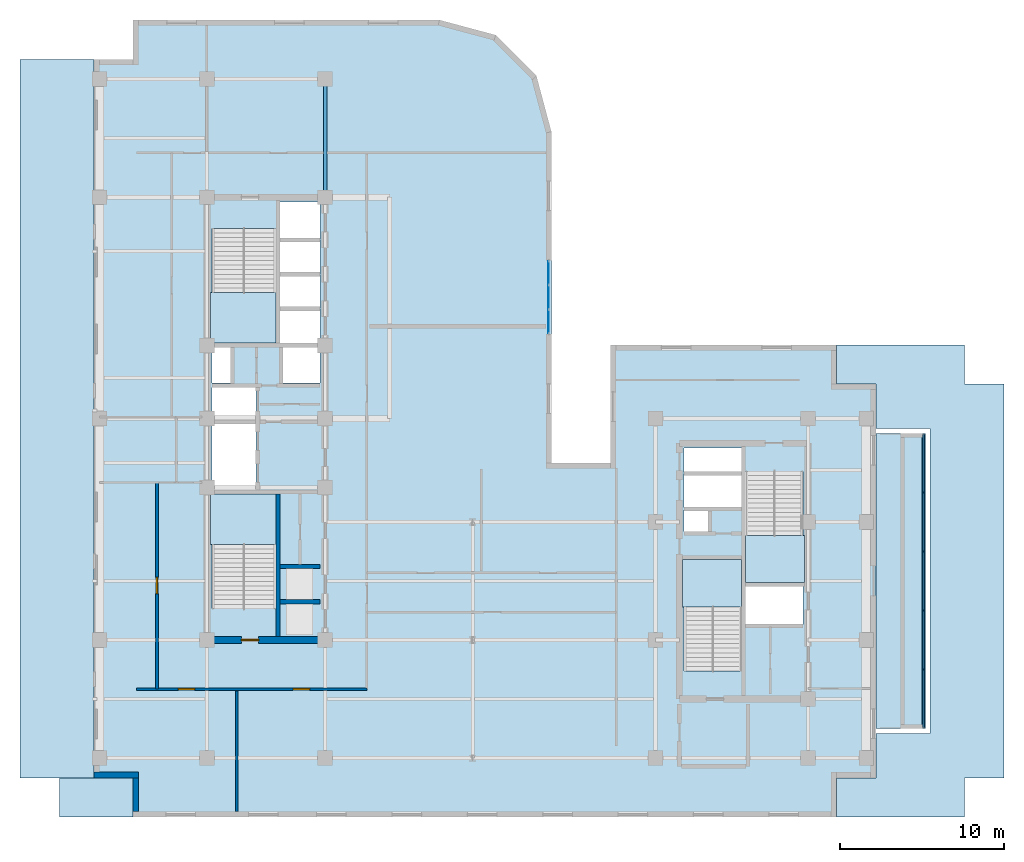
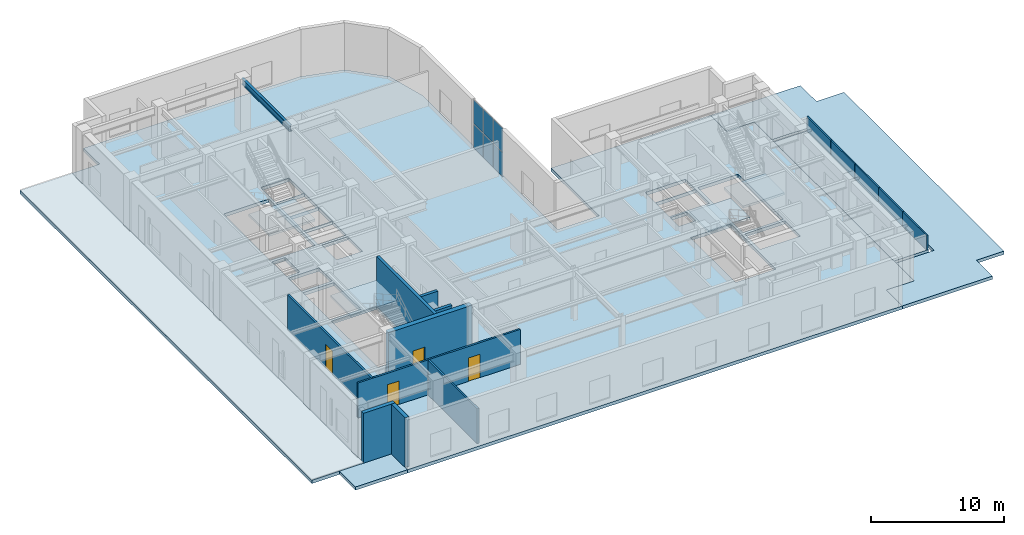
# One storey, part 6 of 16: 11 plates, 9 slabs, 9 walls, 4 doors, 1 beam, 4 openings, 5 elements without a shape of their own.
"""IFC4 building model written with IfcOpenShell, lengths in metres."""

from ifc_helpers import new_model, entity, si_unit, converted_unit, direction, frame, origin_with_axes, origin_2d_with_axis, place, context, subcontext, project, spatial, polyline, rectangle, i_section, outline, extrude, material, layer, layer_set, material_profile, profile_set, type_object, element, fill, aggregate, save


model = new_model("IFC4")

# Units and contexts
model_context = context("Model", 3, precision=1e-05, world=origin_with_axes(), true_north=direction((0.0, 1.0)))
body_context = subcontext(model_context, "Body", "Model", "MODEL_VIEW")
ifc_project = project(units=[si_unit("LENGTHUNIT", "METRE"), si_unit("AREAUNIT", "SQUARE_METRE"), si_unit("VOLUMEUNIT", "CUBIC_METRE"), converted_unit("PLANEANGLEUNIT", "DEGREE", entity("IfcPlaneAngleMeasure", 0.017453292519943295), si_unit("PLANEANGLEUNIT", "RADIAN"), dimensions=[0, 0, 0, 0, 0, 0, 0]), si_unit("MASSUNIT", "GRAM", prefix="KILO"), si_unit("THERMODYNAMICTEMPERATUREUNIT", "KELVIN")], contexts=[model_context])

# Site, building, storey
site_placement = place(None, origin_with_axes())
site = spatial("IfcSite", under=ifc_project, at=site_placement, CompositionType="ELEMENT")
building_placement = place(site_placement, origin_with_axes())
building = spatial("IfcBuilding", under=site, at=building_placement, Name="Varnlund Millrace Tower", CompositionType="ELEMENT")
storey_placement = place(building_placement, frame((0.0, 0.0, 219.9), z_axis=(0.0, 0.0, 1.0), x_axis=(1.0, 0.0, 0.0)))
storey = spatial("IfcBuildingStorey", under=building, at=storey_placement, Name="L54", CompositionType="ELEMENT", Elevation=219.9)

# Beam
ifc_material_1 = material(Name="Steel ASTM A992 Grade 50", Category="steel")
ifc_material_profile = material_profile(ifc_material_1, i_section(OverallWidth=0.214, OverallDepth=0.549, WebThickness=0.0147, FlangeThickness=0.0236, FilletRadius=0.015, at=origin_2d_with_axis()), Name="Steel ASTM A992 Grade 50")
ifc_profile_set = profile_set([ifc_material_profile], Name="Steel ASTM A992 Grade 50")
beam_type = type_object("IfcBeamType", Name="Type-Beam-W21X93", PredefinedType="BEAM", material=ifc_profile_set)
beam_placement = place(storey_placement, frame((18.6, 37.8, 4.2855), z_axis=(0.0, 1.0, 0.0), x_axis=(-1.0, 0.0, 0.0)))
element("IfcBeam", 1, at=beam_placement, inside=storey, type_object=beam_type, Name="Type-Beam-W21X93", PredefinedType="BEAM", context=body_context, shape_type="SweptSolid", body=[
    extrude(i_section(OverallWidth=0.214, OverallDepth=0.549, WebThickness=0.0147, FlangeThickness=0.0236, FilletRadius=0.015, at=origin_2d_with_axis()), origin_with_axes(), (0.0, 0.0, 1.0), 7.2),
])

# Curtain wall, plates
ifc_material_2 = material(Name="Thermally broken architectural bronze curtain wall", Category="aluminium")
curtain_wall_type = type_object("IfcCurtainWallType", Name="Type-CW-Sys5-SkyLobby2Pool", PredefinedType="NOTDEFINED", material=ifc_material_2)
curtain_wall_placement = place(storey_placement, frame((32.23, 33.95, 0.0), z_axis=(0.0, 0.0, 1.0), x_axis=(1.0, 0.0, 0.0)))
curtain_wall = element("IfcCurtainWall", 2, at=curtain_wall_placement, inside=storey, type_object=curtain_wall_type, Name="Type-CW-Sys5-SkyLobby2Pool", PredefinedType="NOTDEFINED")
ifc_material_3 = material(Name="Low-e argon triple-glazed curtain-wall unit", Category="glass")
ifc_layer_1 = layer(ifc_material_3, 0.028, Name="Low-e argon triple-glazed curtain-wall unit")
ifc_layer_set_1 = layer_set([ifc_layer_1], Name="Low-e argon triple-glazed curtain-wall unit")
plate_type_1 = type_object("IfcPlateType", Name="Type-CW-Panel-TripleGlazed-28", PredefinedType="CURTAIN_PANEL", material=ifc_layer_set_1)
plate_1_placement = place(storey_placement, frame((32.23, 33.185, 0.06), z_axis=(0.0, 0.0, 1.0), x_axis=(0.0, -1.0, 0.0)))
plate_1 = element("IfcPlate", 3, at=plate_1_placement, type_object=plate_type_1, Name="CW-05 panel 1.1", PredefinedType="CURTAIN_PANEL", context=body_context, shape_type="SweptSolid", body=[
    extrude(rectangle(XDim=1.41, YDim=0.028, at=origin_2d_with_axis()), origin_with_axes(), (0.0, 0.0, 1.0), 2.19),
])
plate_2_placement = place(storey_placement, frame((32.23, 33.185, 2.31), z_axis=(0.0, 0.0, 1.0), x_axis=(0.0, -1.0, 0.0)))
plate_2 = element("IfcPlate", 4, at=plate_2_placement, type_object=plate_type_1, Name="CW-05 panel 1.2", PredefinedType="CURTAIN_PANEL", context=body_context, shape_type="SweptSolid", body=[
    extrude(rectangle(XDim=1.41, YDim=0.028, at=origin_2d_with_axis()), origin_with_axes(), (0.0, 0.0, 1.0), 2.19),
])
plate_3_placement = place(storey_placement, frame((32.23, 31.7, 0.06), z_axis=(0.0, 0.0, 1.0), x_axis=(0.0, -1.0, 0.0)))
plate_3 = element("IfcPlate", 5, at=plate_3_placement, type_object=plate_type_1, Name="CW-05 panel 2.1", PredefinedType="CURTAIN_PANEL", context=body_context, shape_type="SweptSolid", body=[
    extrude(rectangle(XDim=1.44, YDim=0.028, at=origin_2d_with_axis()), origin_with_axes(), (0.0, 0.0, 1.0), 2.19),
])
plate_4_placement = place(storey_placement, frame((32.23, 31.7, 2.31), z_axis=(0.0, 0.0, 1.0), x_axis=(0.0, -1.0, 0.0)))
plate_4 = element("IfcPlate", 6, at=plate_4_placement, type_object=plate_type_1, Name="CW-05 panel 2.2", PredefinedType="CURTAIN_PANEL", context=body_context, shape_type="SweptSolid", body=[
    extrude(rectangle(XDim=1.44, YDim=0.028, at=origin_2d_with_axis()), origin_with_axes(), (0.0, 0.0, 1.0), 2.19),
])
plate_5_placement = place(storey_placement, frame((32.23, 30.215, 0.06), z_axis=(0.0, 0.0, 1.0), x_axis=(0.0, -1.0, 0.0)))
plate_5 = element("IfcPlate", 7, at=plate_5_placement, type_object=plate_type_1, Name="CW-05 panel 3.1", PredefinedType="CURTAIN_PANEL", context=body_context, shape_type="SweptSolid", body=[
    extrude(rectangle(XDim=1.41, YDim=0.028, at=origin_2d_with_axis()), origin_with_axes(), (0.0, 0.0, 1.0), 2.19),
])
plate_6_placement = place(storey_placement, frame((32.23, 30.215, 2.31), z_axis=(0.0, 0.0, 1.0), x_axis=(0.0, -1.0, 0.0)))
plate_6 = element("IfcPlate", 8, at=plate_6_placement, type_object=plate_type_1, Name="CW-05 panel 3.2", PredefinedType="CURTAIN_PANEL", context=body_context, shape_type="SweptSolid", body=[
    extrude(rectangle(XDim=1.41, YDim=0.028, at=origin_2d_with_axis()), origin_with_axes(), (0.0, 0.0, 1.0), 2.19),
])
aggregate(curtain_wall, [plate_1, plate_2, plate_3, plate_4, plate_5, plate_6])

# Slabs
ifc_material_4 = material(Name="Concrete C50/60", Category="concrete")
ifc_layer_2 = layer(ifc_material_4, 0.3, Name="Concrete C50/60")
ifc_layer_set_2 = layer_set([ifc_layer_2], Name="Concrete C50/60")
slab_type_1 = type_object("IfcSlabType", Name="Type-Cap-Deck-Setback-300", PredefinedType="ROOF", material=ifc_layer_set_2)
slab_1_placement = place(storey_placement, frame((0.0, 0.0, -0.3), z_axis=(0.0, 0.0, 1.0), x_axis=(1.0, 0.0, 0.0)))
element("IfcSlab", 9, at=slab_1_placement, inside=storey, type_object=slab_type_1, Name="Type-Cap-Deck-Setback-300", PredefinedType="ROOF", context=body_context, shape_type="SweptSolid", body=[
    extrude(outline(polyline([(4.5, 2.4), (4.5, 46.2), (0.0, 46.2), (0.0, 2.4), (4.5, 2.4)])), origin_with_axes(), (0.0, 0.0, 1.0), 0.3),
])
slab_2_placement = place(storey_placement, frame((0.0, 0.0, -0.3), z_axis=(0.0, 0.0, 1.0), x_axis=(1.0, 0.0, 0.0)))
element("IfcSlab", 10, at=slab_2_placement, inside=storey, type_object=slab_type_1, Name="Type-Cap-Deck-Setback-300", PredefinedType="ROOF", context=body_context, shape_type="SweptSolid", body=[
    extrude(outline(polyline([(57.6, 26.4), (57.6, 28.8), (49.8, 28.8), (49.8, 26.4), (52.2, 26.4), (52.2, 23.7), (55.5, 23.7), (55.5, 5.1), (52.2, 5.1), (52.2, 2.4), (49.8, 2.4), (49.8, 0.0), (57.6, 0.0), (57.6, 2.4), (60.0, 2.4), (60.0, 26.4), (57.6, 26.4)])), origin_with_axes(), (0.0, 0.0, 1.0), 0.3),
])
slab_3_placement = place(storey_placement, frame((0.0, 0.0, -0.3), z_axis=(0.0, 0.0, 1.0), x_axis=(1.0, 0.0, 0.0)))
element("IfcSlab", 11, at=slab_3_placement, inside=storey, type_object=slab_type_1, Name="Type-Cap-Deck-Setback-300", PredefinedType="ROOF", context=body_context, shape_type="SweptSolid", body=[
    extrude(outline(polyline([(2.4, 2.4), (2.4, 0.0), (6.9, 0.0), (6.9, 2.4), (2.4, 2.4)])), origin_with_axes(), (0.0, 0.0, 1.0), 0.3),
])
ifc_material_5 = material(Name="Concrete C60/75", Category="concrete")
ifc_layer_3 = layer(ifc_material_5, 0.3, Name="Concrete C60/75")
ifc_layer_set_3 = layer_set([ifc_layer_3], Name="Concrete C60/75")
slab_type_2 = type_object("IfcSlabType", Name="Type-Deck-Plate-SkyPool-300", PredefinedType="FLOOR", material=ifc_layer_set_3)
slab_4_placement = place(storey_placement, frame((0.0, 0.0, -0.3), z_axis=(0.0, 0.0, 1.0), x_axis=(1.0, 0.0, 0.0)))
element("IfcSlab", 12, at=slab_4_placement, inside=storey, type_object=slab_type_2, Name="Type-Deck-Plate-SkyPool-300", PredefinedType="FLOOR", context=body_context, shape_type="SweptSolid", body=[
    extrude(outline(polyline([(55.2, 5.4), (55.2, 23.4), (52.2, 23.4), (52.2, 5.4), (55.2, 5.4)])), origin_with_axes(), (0.0, 0.0, 1.0), 0.3),
])
ifc_material_6 = material(Name="Concrete C70/85", Category="concrete")
ifc_layer_4 = layer(ifc_material_6, 0.3, Name="Concrete C70/85")
ifc_layer_set_4 = layer_set([ifc_layer_4], Name="Concrete C70/85")
slab_type_3 = type_object("IfcSlabType", Name="Type-Deck-Plate-Transfer-300", PredefinedType="FLOOR", material=ifc_layer_set_4)
slab_5_placement = place(storey_placement, frame((0.0, 0.0, -0.3), z_axis=(0.0, 0.0, 1.0), x_axis=(1.0, 0.0, 0.0)))
element("IfcSlab", 13, at=slab_5_placement, inside=storey, type_object=slab_type_3, Name="Type-Deck-Plate-Transfer-300", PredefinedType="FLOOR", context=body_context, shape_type="SweptSolid", body=[
    extrude(outline(polyline([(32.4, 21.6), (32.4, 41.8), (31.489, 45.2), (29.0, 47.689), (25.6, 48.6), (6.9, 48.6), (6.9, 46.2), (4.5, 46.2), (4.5, 2.4), (6.9, 2.4), (6.9, 0.0), (49.8, 0.0), (49.8, 2.4), (52.2, 2.4), (52.2, 26.4), (49.8, 26.4), (49.8, 28.8), (36.0, 28.8), (36.0, 21.6), (32.4, 21.6)]), holes=[polyline([(15.6, 12.715), (11.7, 12.715), (11.7, 19.7), (15.6, 19.7), (15.6, 12.715)]), polyline([(14.38, 23.98), (14.38, 19.94), (11.7, 19.94), (11.7, 23.98), (14.38, 23.98)]), polyline([(14.38, 24.24), (11.7, 24.24), (11.7, 26.2), (14.38, 26.2), (14.38, 24.24)]), polyline([(12.84, 26.46), (11.7, 26.46), (11.7, 28.65), (12.84, 28.65), (12.84, 26.46)]), polyline([(18.3, 28.9), (15.84, 28.9), (15.84, 30.98), (18.3, 30.98), (18.3, 28.9)]), polyline([(18.3, 31.02), (15.84, 31.02), (15.84, 33.08), (18.3, 33.08), (18.3, 31.02)]), polyline([(15.6, 28.9), (11.7, 28.9), (11.7, 35.885), (15.6, 35.885), (15.6, 28.9)]), polyline([(18.3, 33.12), (15.84, 33.12), (15.84, 35.18), (18.3, 35.18), (18.3, 33.12)]), polyline([(44.0, 8.915), (40.5, 8.915), (40.5, 15.7), (44.0, 15.7), (44.0, 8.915)]), polyline([(47.75, 11.74), (44.25, 11.74), (44.25, 14.06), (47.75, 14.06), (47.75, 11.74)]), polyline([(47.75, 14.3), (44.25, 14.3), (44.25, 21.085), (47.75, 21.085), (47.75, 14.3)]), polyline([(41.95, 17.42), (40.5, 17.42), (40.5, 18.72), (41.95, 18.72), (41.95, 17.42)]), polyline([(44.0, 18.88), (40.5, 18.88), (40.5, 20.94), (44.0, 20.94), (44.0, 18.88)]), polyline([(44.0, 21.0), (40.5, 21.0), (40.5, 22.5), (44.0, 22.5), (44.0, 21.0)]), polyline([(16.04, 26.46), (16.04, 28.65), (18.3, 28.65), (18.3, 26.46), (16.04, 26.46)]), polyline([(15.84, 35.22), (15.84, 37.5), (18.3, 37.5), (18.3, 35.22), (15.84, 35.22)])]), origin_with_axes(), (0.0, 0.0, 1.0), 0.3),
])

# Plates
ifc_material_7 = material(Name="Cast polymethyl methacrylate structural acrylic", Category="glass")
ifc_layer_5 = layer(ifc_material_7, 0.12, Name="Cast polymethyl methacrylate structural acrylic")
ifc_layer_set_5 = layer_set([ifc_layer_5], Name="Cast polymethyl methacrylate structural acrylic")
plate_type_2 = type_object("IfcPlateType", Name="Type-SkyPool-Acrylic-Dam-3600X1350X120", PredefinedType="SHEET", material=ifc_layer_set_5)
for number, where, z_axis, x_axis, name in (
    (14, (55.08, 7.2, 0.0), (0.0, 0.0, 1.0), (0.0, 1.0, 0.0), "Type-SkyPool-Acrylic-Dam-3600X1350X120"),
    (15, (55.08, 10.8, 0.0), (0.0, 0.0, 1.0), (0.0, 1.0, 0.0), "Type-SkyPool-Acrylic-Dam-3600X1350X120"),
    (16, (55.08, 14.4, 0.0), (0.0, 0.0, 1.0), (0.0, 1.0, 0.0), "Type-SkyPool-Acrylic-Dam-3600X1350X120"),
    (17, (55.08, 18.0, 0.0), (0.0, 0.0, 1.0), (0.0, 1.0, 0.0), "Type-SkyPool-Acrylic-Dam-3600X1350X120"),
    (18, (55.08, 21.6, 0.0), (0.0, 0.0, 1.0), (0.0, 1.0, 0.0), "Type-SkyPool-Acrylic-Dam-3600X1350X120"),
):
    element("IfcPlate", number, at=place(storey_placement, frame(where, z_axis=z_axis, x_axis=x_axis)), inside=storey, type_object=plate_type_2, Name=name, PredefinedType="SHEET", context=body_context, shape_type="SweptSolid", body=[
        extrude(rectangle(XDim=3.56, YDim=0.12, at=origin_2d_with_axis()), origin_with_axes(), (0.0, 0.0, 1.0), 1.35),
    ])

# Stair, slab
stair_type_1 = type_object("IfcStairType", Name="Type-Stair-Dogleg-185-480", PredefinedType="HALF_TURN_STAIR", material=ifc_material_4)
stair_1_placement = place(storey_placement, origin_with_axes())
stair_1 = element("IfcStair", 19, at=stair_1_placement, inside=storey, type_object=stair_type_1, Name="Type-Stair-Dogleg-185-480", PredefinedType="HALF_TURN_STAIR")
ifc_layer_6 = layer(ifc_material_4, 0.2, Name="Concrete C50/60")
ifc_layer_set_6 = layer_set([ifc_layer_6], Name="Concrete C50/60")
slab_type_4 = type_object("IfcSlabType", Name="Type-StairLanding-200", PredefinedType="LANDING", material=ifc_layer_set_6)
slab_6_placement = place(storey_placement, frame((0.0, 0.0, 2.2), z_axis=(0.0, 0.0, 1.0), x_axis=(1.0, 0.0, 0.0)))
slab_6 = element("IfcSlab", 20, at=slab_6_placement, type_object=slab_type_4, Name="ST-A1 landing 1", PredefinedType="LANDING", context=body_context, shape_type="SweptSolid", body=[
    extrude(outline(polyline([(15.6, 16.62), (15.6, 19.7), (11.61, 19.7), (11.61, 16.62), (15.6, 16.62)])), origin_with_axes(), (0.0, 0.0, 1.0), 0.2),
])
aggregate(stair_1, [slab_6])

stair_2_placement = place(storey_placement, origin_with_axes())
stair_2 = element("IfcStair", 21, at=stair_2_placement, inside=storey, type_object=stair_type_1, Name="Type-Stair-Dogleg-185-480", PredefinedType="HALF_TURN_STAIR")
slab_7_placement = place(storey_placement, frame((0.0, 0.0, 2.2), z_axis=(0.0, 0.0, 1.0), x_axis=(1.0, 0.0, 0.0)))
slab_7 = element("IfcSlab", 22, at=slab_7_placement, type_object=slab_type_4, Name="ST-A2 landing 1", PredefinedType="LANDING", context=body_context, shape_type="SweptSolid", body=[
    extrude(outline(polyline([(11.61, 31.98), (11.61, 28.9), (15.6, 28.9), (15.6, 31.98), (11.61, 31.98)])), origin_with_axes(), (0.0, 0.0, 1.0), 0.2),
])
aggregate(stair_2, [slab_7])

stair_type_2 = type_object("IfcStairType", Name="Type-Stair-Dogleg-165-480", PredefinedType="HALF_TURN_STAIR", material=ifc_material_4)
stair_3_placement = place(storey_placement, origin_with_axes())
stair_3 = element("IfcStair", 23, at=stair_3_placement, inside=storey, type_object=stair_type_2, Name="Type-Stair-Dogleg-165-480", PredefinedType="HALF_TURN_STAIR")
slab_8_placement = place(storey_placement, frame((0.0, 0.0, 2.2), z_axis=(0.0, 0.0, 1.0), x_axis=(1.0, 0.0, 0.0)))
slab_8 = element("IfcSlab", 24, at=slab_8_placement, type_object=slab_type_4, Name="ST-B1 landing 1", PredefinedType="LANDING", context=body_context, shape_type="SweptSolid", body=[
    extrude(outline(polyline([(44.0, 12.82), (44.0, 15.7), (40.41, 15.7), (40.41, 12.82), (44.0, 12.82)])), origin_with_axes(), (0.0, 0.0, 1.0), 0.2),
])
aggregate(stair_3, [slab_8])

stair_4_placement = place(storey_placement, origin_with_axes())
stair_4 = element("IfcStair", 25, at=stair_4_placement, inside=storey, type_object=stair_type_2, Name="Type-Stair-Dogleg-165-480", PredefinedType="HALF_TURN_STAIR")
slab_9_placement = place(storey_placement, frame((0.0, 0.0, 2.2), z_axis=(0.0, 0.0, 1.0), x_axis=(1.0, 0.0, 0.0)))
slab_9 = element("IfcSlab", 26, at=slab_9_placement, type_object=slab_type_4, Name="ST-B2 landing 1", PredefinedType="LANDING", context=body_context, shape_type="SweptSolid", body=[
    extrude(outline(polyline([(44.25, 17.18), (44.25, 14.3), (47.84, 14.3), (47.84, 17.18), (44.25, 17.18)])), origin_with_axes(), (0.0, 0.0, 1.0), 0.2),
])
aggregate(stair_4, [slab_9])

# Wall, opening, door
ifc_layer_7 = layer(ifc_material_5, 0.42, Name="Concrete C60/75")
ifc_layer_set_7 = layer_set([ifc_layer_7], Name="Concrete C60/75")
wall_type_1 = type_object("IfcWallType", Name="Type-CoreWall-Shear-420-C60", PredefinedType="SHEAR", material=ifc_layer_set_7)
wall_1_placement = place(storey_placement, frame((11.4, 10.8, 0.0), z_axis=(0.0, 0.0, 1.0), x_axis=(1.0, 0.0, 0.0)))
wall_1 = element("IfcWall", 27, at=wall_1_placement, inside=storey, type_object=wall_type_1, Name="Type-CoreWall-Shear-420-C60", PredefinedType="SHEAR", context=body_context, shape_type="SweptSolid", body=[
    extrude(outline(polyline([(0.0, -0.21), (7.2, -0.21), (7.2, 0.21), (0.0, 0.21), (0.0, -0.21)])), origin_with_axes(), (0.0, 0.0, 1.0), 4.56),
])
opening_1_placement = place(wall_1_placement, frame((2.625, 0.0, 0.0), z_axis=(0.0, 0.0, 1.0), x_axis=(1.0, 0.0, 0.0)))
opening_1 = element("IfcOpeningElement", 28, at=opening_1_placement, cuts=wall_1, Name="Opening L54:DR-STA1", PredefinedType="OPENING", context=body_context, shape_type="SweptSolid", body=[
    extrude(rectangle(XDim=1.05, YDim=0.44, at=origin_2d_with_axis()), origin_with_axes(), (0.0, 0.0, 1.0), 2.15),
])
ifc_material_8 = material(Name="Fire-rated hollow steel door", Category="steel")
door_type_1 = type_object("IfcDoorType", Name="Type-FireDoor-Stair-1050X2150", OperationType="NOTDEFINED", PredefinedType="DOOR", material=ifc_material_8)
door_1_placement = place(wall_1_placement, frame((2.625, 0.0, 0.0), z_axis=(0.0, 0.0, 1.0), x_axis=(1.0, 0.0, 0.0)))
door_1 = element("IfcDoor", 29, at=door_1_placement, inside=storey, type_object=door_type_1, Name="Type-FireDoor-Stair-1050X2150", OperationType="SINGLE_SWING_LEFT", OverallHeight=2.15, OverallWidth=1.05, PredefinedType="DOOR", context=body_context, shape_type="SweptSolid", body=[
    extrude(rectangle(XDim=1.05, YDim=0.09, at=origin_2d_with_axis()), origin_with_axes(), (0.0, 0.0, 1.0), 2.15),
])
fill(opening_1, door_1)

# Walls
ifc_material_9 = material(Name="Precast concrete C50/60", Category="concrete")
ifc_layer_8 = layer(ifc_material_9, 0.34, Name="Precast concrete C50/60")
ifc_layer_set_8 = layer_set([ifc_layer_8], Name="Precast concrete C50/60")
wall_type_2 = type_object("IfcWallType", Name="Type-ExtWall-Precast-Upper-340", PredefinedType="SOLIDWALL", material=ifc_layer_set_8)
wall_2_placement = place(storey_placement, frame((7.07, 0.34, 0.0), z_axis=(0.0, 0.0, 1.0), x_axis=(0.0, 1.0, 0.0)))
element("IfcWall", 30, at=wall_2_placement, inside=storey, type_object=wall_type_2, Name="Type-ExtWall-Precast-Upper-340", PredefinedType="SOLIDWALL", context=body_context, shape_type="SweptSolid", body=[
    extrude(outline(polyline([(0.0, -0.17), (2.06, -0.17), (2.06, 0.17), (0.0, 0.17), (0.0, -0.17)])), origin_with_axes(), (0.0, 0.0, 1.0), 4.56),
])
wall_3_placement = place(storey_placement, frame((7.24, 2.57, 0.0), z_axis=(0.0, 0.0, 1.0), x_axis=(-1.0, 0.0, 0.0)))
element("IfcWall", 31, at=wall_3_placement, inside=storey, type_object=wall_type_2, Name="Type-ExtWall-Precast-Upper-340", PredefinedType="SOLIDWALL", context=body_context, shape_type="SweptSolid", body=[
    extrude(outline(polyline([(0.0, -0.17), (2.74, -0.17), (2.74, 0.17), (0.0, 0.17), (0.0, -0.17)])), origin_with_axes(), (0.0, 0.0, 1.0), 4.56),
])

# Wall, openings, doors
ifc_material_10 = material(Name="Fire-rated gypsum board on cold-formed steel framing", Category="steel")
ifc_layer_9 = layer(ifc_material_10, 0.16, Name="Fire-rated gypsum board on cold-formed steel framing")
ifc_layer_set_9 = layer_set([ifc_layer_9], Name="Fire-rated gypsum board on cold-formed steel framing")
wall_type_3 = type_object("IfcWallType", Name="Type-Partition-Corridor-160", PredefinedType="PARTITIONING", material=ifc_layer_set_9)
wall_4_placement = place(storey_placement, frame((7.1, 7.8, 0.0), z_axis=(0.0, 0.0, 1.0), x_axis=(1.0, 0.0, 0.0)))
wall_4 = element("IfcWall", 32, at=wall_4_placement, inside=storey, type_object=wall_type_3, Name="Type-Partition-Corridor-160", PredefinedType="PARTITIONING", context=body_context, shape_type="SweptSolid", body=[
    extrude(outline(polyline([(0.0, -0.08), (14.05, -0.08), (14.05, 0.08), (0.0, 0.08), (0.0, -0.08)])), origin_with_axes(), (0.0, 0.0, 1.0), 3.2),
])
opening_2_placement = place(wall_4_placement, frame((3.051, 0.0, 0.0), z_axis=(0.0, 0.0, 1.0), x_axis=(1.0, 0.0, 0.0)))
opening_2 = element("IfcOpeningElement", 33, at=opening_2_placement, cuts=wall_4, Name="Opening L54:DR-WAS-01", PredefinedType="OPENING", context=body_context, shape_type="SweptSolid", body=[
    extrude(rectangle(XDim=1.0, YDim=0.18, at=origin_2d_with_axis()), origin_with_axes(), (0.0, 0.0, 1.0), 2.15),
])
opening_3_placement = place(wall_4_placement, frame((10.056, 0.0, 0.0), z_axis=(0.0, 0.0, 1.0), x_axis=(1.0, 0.0, 0.0)))
opening_3 = element("IfcOpeningElement", 34, at=opening_3_placement, cuts=wall_4, Name="Opening L54:DR-WAS-02", PredefinedType="OPENING", context=body_context, shape_type="SweptSolid", body=[
    extrude(rectangle(XDim=1.0, YDim=0.18, at=origin_2d_with_axis()), origin_with_axes(), (0.0, 0.0, 1.0), 2.15),
])
ifc_material_11 = material(Name="Solid-core white oak and bronze frame door")
door_type_2 = type_object("IfcDoorType", Name="Type-IntDoor-Office-1000X2150", OperationType="NOTDEFINED", PredefinedType="DOOR", material=ifc_material_11)
door_2_placement = place(wall_4_placement, frame((3.051, 0.0, 0.0), z_axis=(0.0, 0.0, 1.0), x_axis=(1.0, 0.0, 0.0)))
door_2 = element("IfcDoor", 35, at=door_2_placement, inside=storey, type_object=door_type_2, Name="Type-IntDoor-Office-1000X2150", OperationType="SINGLE_SWING_LEFT", OverallHeight=2.15, OverallWidth=1.0, PredefinedType="DOOR", context=body_context, shape_type="SweptSolid", body=[
    extrude(rectangle(XDim=1.0, YDim=0.09, at=origin_2d_with_axis()), origin_with_axes(), (0.0, 0.0, 1.0), 2.15),
])
fill(opening_2, door_2)
door_3_placement = place(wall_4_placement, frame((10.056, 0.0, 0.0), z_axis=(0.0, 0.0, 1.0), x_axis=(1.0, 0.0, 0.0)))
door_3 = element("IfcDoor", 36, at=door_3_placement, inside=storey, type_object=door_type_2, Name="Type-IntDoor-Office-1000X2150", OperationType="SINGLE_SWING_RIGHT", OverallHeight=2.15, OverallWidth=1.0, PredefinedType="DOOR", context=body_context, shape_type="SweptSolid", body=[
    extrude(rectangle(XDim=1.0, YDim=0.09, at=origin_2d_with_axis()), origin_with_axes(), (0.0, 0.0, 1.0), 2.15),
])
fill(opening_3, door_3)

# Wall, opening, door
wall_5_placement = place(storey_placement, frame((8.35, 7.8, 0.0), z_axis=(0.0, 0.0, 1.0), x_axis=(0.0, 1.0, 0.0)))
wall_5 = element("IfcWall", 37, at=wall_5_placement, inside=storey, type_object=wall_type_3, Name="Type-Partition-Corridor-160", PredefinedType="PARTITIONING", context=body_context, shape_type="SweptSolid", body=[
    extrude(outline(polyline([(0.0, -0.08), (12.6, -0.08), (12.6, 0.08), (0.0, 0.08), (0.0, -0.08)])), origin_with_axes(), (0.0, 0.0, 1.0), 3.2),
])
opening_4_placement = place(wall_5_placement, frame((6.325, 0.0, 0.0), z_axis=(0.0, 0.0, 1.0), x_axis=(1.0, 0.0, 0.0)))
opening_4 = element("IfcOpeningElement", 38, at=opening_4_placement, cuts=wall_5, Name="Opening L54:DR-WS-01", PredefinedType="OPENING", context=body_context, shape_type="SweptSolid", body=[
    extrude(rectangle(XDim=1.0, YDim=0.18, at=origin_2d_with_axis()), origin_with_axes(), (0.0, 0.0, 1.0), 2.15),
])
door_4_placement = place(wall_5_placement, frame((6.325, 0.0, 0.0), z_axis=(0.0, 0.0, 1.0), x_axis=(1.0, 0.0, 0.0)))
door_4 = element("IfcDoor", 39, at=door_4_placement, inside=storey, type_object=door_type_2, Name="Type-IntDoor-Office-1000X2150", OperationType="SINGLE_SWING_LEFT", OverallHeight=2.15, OverallWidth=1.0, PredefinedType="DOOR", context=body_context, shape_type="SweptSolid", body=[
    extrude(rectangle(XDim=1.0, YDim=0.09, at=origin_2d_with_axis()), origin_with_axes(), (0.0, 0.0, 1.0), 2.15),
])
fill(opening_4, door_4)

# Walls
ifc_material_12 = material(Name="Acoustic STC-50 gypsum board partition", Category="gypsum")
ifc_layer_10 = layer(ifc_material_12, 0.15, Name="Acoustic STC-50 gypsum board partition")
ifc_layer_set_10 = layer_set([ifc_layer_10], Name="Acoustic STC-50 gypsum board partition")
wall_type_4 = type_object("IfcWallType", Name="Type-Partition-Demising-150", PredefinedType="PARTITIONING", material=ifc_layer_set_10)
wall_6_placement = place(storey_placement, frame((13.212, 0.335, 0.0), z_axis=(0.0, 0.0, 1.0), x_axis=(0.0, 1.0, 0.0)))
element("IfcWall", 40, at=wall_6_placement, inside=storey, type_object=wall_type_4, Name="Type-Partition-Demising-150", PredefinedType="PARTITIONING", context=body_context, shape_type="SweptSolid", body=[
    extrude(outline(polyline([(0.0, -0.075), (7.365, -0.075), (7.365, 0.075), (0.0, 0.075), (0.0, -0.075)])), origin_with_axes(), (0.0, 0.0, 1.0), 3.2),
])
ifc_layer_11 = layer(ifc_material_5, 0.25, Name="Concrete C60/75")
ifc_layer_set_11 = layer_set([ifc_layer_11], Name="Concrete C60/75")
wall_type_5 = type_object("IfcWallType", Name="Type-ShaftWall-Fire-250", PredefinedType="SOLIDWALL", material=ifc_layer_set_11)
for number, where, z_axis, x_axis, name in (
    (41, (15.84, 13.13, 0.0), (0.0, 0.0, 1.0), (1.0, 0.0, 0.0), "Type-ShaftWall-Fire-250"),
    (42, (15.84, 15.27, 0.0), (0.0, 0.0, 1.0), (1.0, 0.0, 0.0), "Type-ShaftWall-Fire-250"),
):
    element("IfcWall", number, at=place(storey_placement, frame(where, z_axis=z_axis, x_axis=x_axis)), inside=storey, type_object=wall_type_5, Name=name, PredefinedType="SOLIDWALL", context=body_context, shape_type="SweptSolid", body=[
        extrude(outline(polyline([(0.0, -0.125), (2.46, -0.125), (2.46, 0.125), (0.0, 0.125), (0.0, -0.125)])), origin_with_axes(), (0.0, 0.0, 1.0), 3.2),
    ])
wall_type_6 = type_object("IfcWallType", Name="Type-StairWall-Shear-250", PredefinedType="SHEAR", material=ifc_layer_set_11)
wall_7_placement = place(storey_placement, frame((15.725, 11.01, 0.0), z_axis=(0.0, 0.0, 1.0), x_axis=(0.0, 1.0, 0.0)))
element("IfcWall", 43, at=wall_7_placement, inside=storey, type_object=wall_type_6, Name="Type-StairWall-Shear-250", PredefinedType="SHEAR", context=body_context, shape_type="SweptSolid", body=[
    extrude(outline(polyline([(0.0, -0.125), (8.69, -0.125), (8.69, 0.125), (0.0, 0.125), (0.0, -0.125)])), origin_with_axes(), (0.0, 0.0, 1.0), 4.56),
])

save(model, "model.ifc")
